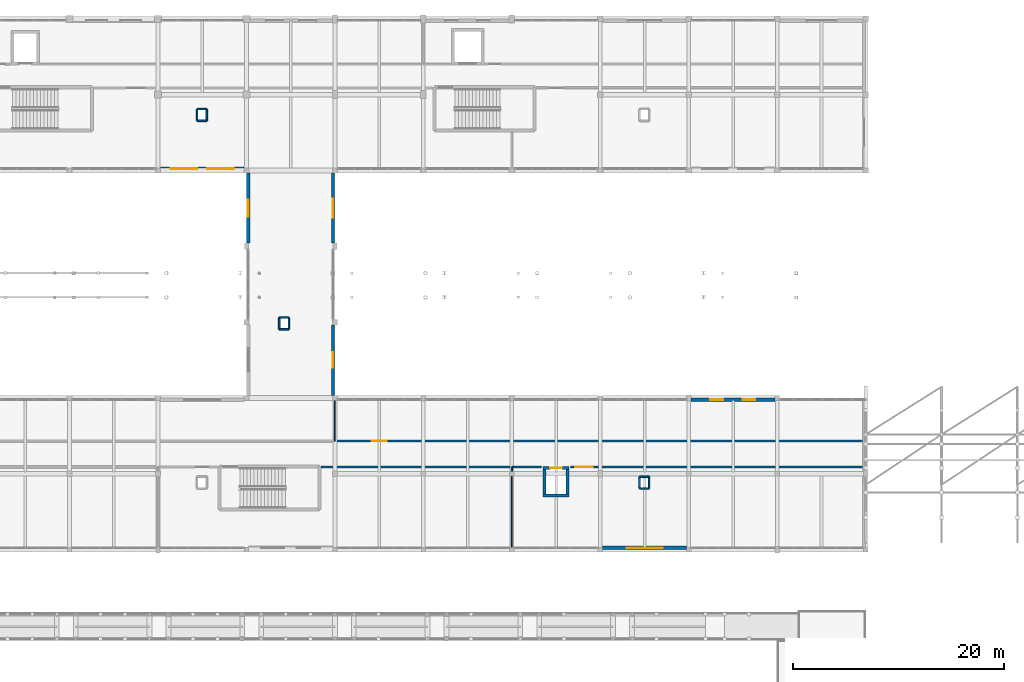
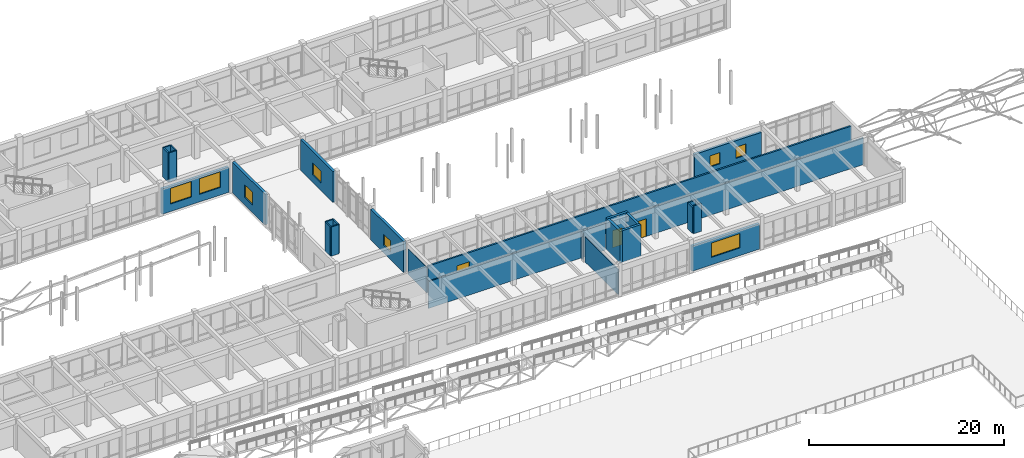
# One storey, part 78 of 89: 29 walls, 8 windows, 3 doors, 11 openings.
"""IFC4 building model written with IfcOpenShell, lengths in metres."""

from ifc_helpers import new_model, si_unit, direction, frame, frame_2d, origin, place, context, subcontext, project, spatial, rectangle, extrude, material, layer, layer_set, type_object, element, fill, save


model = new_model("IFC4")

# Units and contexts
model_context = context("Model", 3, precision=1e-05, world=origin(), true_north=direction((0.0, 1.0)))
body_context = subcontext(model_context, "Body", "Model", "MODEL_VIEW")
ifc_project = project(units=[si_unit("LENGTHUNIT", "METRE"), si_unit("AREAUNIT", "SQUARE_METRE"), si_unit("VOLUMEUNIT", "CUBIC_METRE"), si_unit("PLANEANGLEUNIT", "RADIAN"), si_unit("MASSUNIT", "GRAM", prefix="KILO")], contexts=[model_context])

# Site, building, storey
site_placement = place(None, origin())
site = spatial("IfcSite", under=ifc_project, at=site_placement, CompositionType="ELEMENT")
building_placement = place(site_placement, origin())
building = spatial("IfcBuilding", under=site, at=building_placement, Name="Malvenik Polytechnic", CompositionType="ELEMENT")
storey_placement = place(building_placement, frame((0.0, 0.0, 13.5)))
storey = spatial("IfcBuildingStorey", under=building, at=storey_placement, Name="L03", CompositionType="ELEMENT", Elevation=13.5)

# Wall
ifc_material_1 = material(Name="Concrete C35/45", Category="concrete")
ifc_layer_1 = layer(ifc_material_1, 0.280029296875)
ifc_layer_set_1 = layer_set([ifc_layer_1], Name="Concrete C35/45")
wall_type_1 = type_object("IfcWallType", Name="ARC-CW-S280", PredefinedType="SHEAR", material=ifc_layer_set_1)
wall_1_placement = place(storey_placement, frame((106.239990234375, 84.35009765625, 0.0), z_axis=(0.0, 0.0, 1.0), x_axis=(-1.0, 0.0, 0.0)))
element("IfcWall", 1, at=wall_1_placement, inside=storey, type_object=wall_type_1, Name="Lift Shaft Shear Wall LP-02 L03 -Y", PredefinedType="SHEAR", context=body_context, shape_type="SweptSolid", body=[
    extrude(rectangle(XDim=2.47998046875, YDim=0.280029296875, at=frame_2d((1.239990234375, 0.0))), origin(), (0.0, 0.0, 1.0), 3.93994140625),
])

# Wall, opening, door
wall_2_placement = place(storey_placement, frame((103.760009765625, 86.949951171875, 0.0), z_axis=(0.0, 0.0, 1.0), x_axis=(1.0, 0.0, 0.0)))
wall_2 = element("IfcWall", 2, at=wall_2_placement, inside=storey, type_object=wall_type_1, Name="Lift Shaft Shear Wall LP-02 L03 +Y", PredefinedType="SHEAR", context=body_context, shape_type="SweptSolid", body=[
    extrude(rectangle(XDim=2.47998046875, YDim=0.280029296875, at=frame_2d((1.239990234375, 0.0))), origin(), (0.0, 0.0, 1.0), 3.93994140625),
])
opening_1_placement = place(wall_2_placement, frame((0.68994140625, 0.0, 0.0)))
opening_1 = element("IfcOpeningElement", 3, at=opening_1_placement, cuts=wall_2, Name="Opening LD-01", PredefinedType="OPENING", context=body_context, shape_type="SweptSolid", body=[
    extrude(rectangle(XDim=1.10009765625, YDim=2.14990234375, at=frame_2d((0.550048828125, 1.074951171875))), frame((0.0, 0.14990234375, 0.0), z_axis=(0.0, -1.0, 0.0), x_axis=(1.0, 0.0, 0.0)), (0.0, 0.0, 1.0), 0.300048828125),
])
ifc_material_2 = material(Name="Stainless steel fire-rated sliding lift landing door", Category="steel")
door_type_1 = type_object("IfcDoorType", Name="ARC-LDR-LD-01", OperationType="NOTDEFINED", PredefinedType="DOOR", material=ifc_material_2)
door_1_placement = place(opening_1_placement, origin())
door_1 = element("IfcDoor", 4, at=door_1_placement, inside=storey, type_object=door_type_1, Name="Lift Sliding Landing Door LP-02 L03", OperationType="DOUBLE_DOOR_SLIDING", OverallHeight=2.14990234375, OverallWidth=1.10009765625, PredefinedType="DOOR", context=body_context, shape_type="SweptSolid", body=[
    extrude(rectangle(XDim=1.10009765625, YDim=2.14990234375, at=frame_2d((0.550048828125, 1.074951171875))), frame((0.0, 0.02490234375, 0.0), z_axis=(0.0, -1.0, 0.0), x_axis=(1.0, 0.0, 0.0)), (0.0, 0.0, 1.0), 0.050048828125),
])
fill(opening_1, door_1)

# Walls
for number, where, z_axis, x_axis, name in (
    (5, (103.89990234375, 84.2099609375, 0.0), (0.0, 0.0, 1.0), (0.0, 1.0, 0.0), "Lift Shaft Shear Wall LP-02 L03 -X"),
    (6, (106.10009765625, 87.090087890625, 0.0), (0.0, 0.0, 1.0), (0.0, -1.0, 0.0), "Lift Shaft Shear Wall LP-02 L03 +X"),
):
    element("IfcWall", number, at=place(storey_placement, frame(where, z_axis=z_axis, x_axis=x_axis)), inside=storey, type_object=wall_type_1, Name=name, PredefinedType="SHEAR", context=body_context, shape_type="SweptSolid", body=[
        extrude(rectangle(XDim=2.880126953125, YDim=0.280029296875, at=frame_2d((1.43994140625, 0.0))), origin(), (0.0, 0.0, 1.0), 3.93994140625),
    ])

# Wall, opening, window
ifc_material_3 = material(Name="Brick masonry M15", Category="masonry")
ifc_layer_2 = layer(ifc_material_3, 0.31005859375)
ifc_layer_set_2 = layer_set([ifc_layer_2], Name="Brick masonry M15")
wall_type_2 = type_object("IfcWallType", Name="ARC-EW-310", PredefinedType="SOLIDWALL", material=ifc_layer_set_2)
wall_3_placement = place(storey_placement, frame((75.77001953125, 108.298095703125, 0.0), z_axis=(0.0, 0.0, 1.0), x_axis=(0.0, 1.0, 0.0)))
wall_3 = element("IfcWall", 7, at=wall_3_placement, inside=storey, type_object=wall_type_2, Name="External Facade Wall EW-03 L03 #382", PredefinedType="SOLIDWALL", context=body_context, shape_type="SweptSolid", body=[
    extrude(rectangle(XDim=6.65380859375, YDim=0.31005859375, at=frame_2d((3.326904296875, 0.0))), origin(), (0.0, 0.0, 1.0), 3.860107421875),
])
opening_2_placement = place(wall_3_placement, frame((2.527099609375, 0.0, 0.949951171875)))
opening_2 = element("IfcOpeningElement", 8, at=opening_2_placement, cuts=wall_3, Name="Opening W-20", PredefinedType="OPENING", context=body_context, shape_type="SweptSolid", body=[
    extrude(rectangle(XDim=1.60009765625, YDim=1.60009765625, at=frame_2d((0.800048828125, 0.800048828125))), frame((0.0, 0.1650390625, 0.0), z_axis=(0.0, -1.0, 0.0), x_axis=(1.0, 0.0, 0.0)), (0.0, 0.0, 1.0), 0.330078125),
])
ifc_material_4 = material(Name="Thermally broken aluminium frame with low-E double glazing", Category="aluminium")
window_type_1 = type_object("IfcWindowType", Name="ARC-WIN-W-20", PartitioningType="SINGLE_PANEL", PredefinedType="WINDOW", material=ifc_material_4)
window_1_placement = place(opening_2_placement, origin())
window_1 = element("IfcWindow", 9, at=window_1_placement, inside=storey, type_object=window_type_1, Name="Punched Window W-20 L03 #383", OverallHeight=1.60009765625, OverallWidth=1.60009765625, PartitioningType="SINGLE_PANEL", PredefinedType="WINDOW", context=body_context, shape_type="SweptSolid", body=[
    extrude(rectangle(XDim=1.60009765625, YDim=1.60009765625, at=frame_2d((0.800048828125, 0.800048828125))), frame((0.0, 0.030029296875, 0.0), z_axis=(0.0, -1.0, 0.0), x_axis=(1.0, 0.0, 0.0)), (0.0, 0.0, 1.0), 0.06005859375),
])
fill(opening_2, window_1)

# Wall, openings, windows
wall_4_placement = place(storey_placement, frame((75.35205078125, 115.3701171875, 0.0), z_axis=(0.0, 0.0, 1.0), x_axis=(-1.0, 0.0, 0.0)))
wall_4 = element("IfcWall", 10, at=wall_4_placement, inside=storey, type_object=wall_type_2, Name="External Facade Wall EW-03 L03 #383", PredefinedType="SOLIDWALL", context=body_context, shape_type="SweptSolid", body=[
    extrude(rectangle(XDim=7.904052734375, YDim=0.31005859375, at=frame_2d((3.9521484375, 0.0))), origin(), (0.0, 0.0, 1.0), 3.159912109375),
])
opening_3_placement = place(wall_4_placement, frame((0.968017578125, 0.0, 0.949951171875)))
opening_3 = element("IfcOpeningElement", 11, at=opening_3_placement, cuts=wall_4, Name="Opening W-21", PredefinedType="OPENING", context=body_context, shape_type="SweptSolid", body=[
    extrude(rectangle(XDim=2.5, YDim=1.9599609375, at=frame_2d((1.25, 0.97998046875))), frame((0.0, 0.1650390625, 0.0), z_axis=(0.0, -1.0, 0.0), x_axis=(1.0, 0.0, 0.0)), (0.0, 0.0, 1.0), 0.330078125),
])
opening_4_placement = place(wall_4_placement, frame((4.43603515625, 0.0, 0.949951171875)))
opening_4 = element("IfcOpeningElement", 12, at=opening_4_placement, cuts=wall_4, Name="Opening W-21", PredefinedType="OPENING", context=body_context, shape_type="SweptSolid", body=[
    extrude(rectangle(XDim=2.5, YDim=1.9599609375, at=frame_2d((1.25, 0.97998046875))), frame((0.0, 0.1650390625, 0.0), z_axis=(0.0, -1.0, 0.0), x_axis=(1.0, 0.0, 0.0)), (0.0, 0.0, 1.0), 0.330078125),
])
window_type_2 = type_object("IfcWindowType", Name="ARC-WIN-W-21", PartitioningType="SINGLE_PANEL", PredefinedType="WINDOW", material=ifc_material_4)
window_2_placement = place(opening_3_placement, origin())
window_2 = element("IfcWindow", 13, at=window_2_placement, inside=storey, type_object=window_type_2, Name="Punched Window W-21 L03 #384", OverallHeight=1.9599609375, OverallWidth=2.5, PartitioningType="SINGLE_PANEL", PredefinedType="WINDOW", context=body_context, shape_type="SweptSolid", body=[
    extrude(rectangle(XDim=2.5, YDim=1.9599609375, at=frame_2d((1.25, 0.97998046875))), frame((0.0, 0.030029296875, 0.0), z_axis=(0.0, -1.0, 0.0), x_axis=(1.0, 0.0, 0.0)), (0.0, 0.0, 1.0), 0.06005859375),
])
fill(opening_3, window_2)
window_3_placement = place(opening_4_placement, origin())
window_3 = element("IfcWindow", 14, at=window_3_placement, inside=storey, type_object=window_type_2, Name="Punched Window W-21 L03 #385", OverallHeight=1.9599609375, OverallWidth=2.5, PartitioningType="SINGLE_PANEL", PredefinedType="WINDOW", context=body_context, shape_type="SweptSolid", body=[
    extrude(rectangle(XDim=2.5, YDim=1.9599609375, at=frame_2d((1.25, 0.97998046875))), frame((0.0, 0.030029296875, 0.0), z_axis=(0.0, -1.0, 0.0), x_axis=(1.0, 0.0, 0.0)), (0.0, 0.0, 1.0), 0.06005859375),
])
fill(opening_4, window_3)

# Wall, opening, window
wall_5_placement = place(storey_placement, frame((83.830078125, 114.951904296875, 0.0), z_axis=(0.0, 0.0, 1.0), x_axis=(0.0, -1.0, 0.0)))
wall_5 = element("IfcWall", 15, at=wall_5_placement, inside=storey, type_object=wall_type_2, Name="External Facade Wall EW-03 L03 #399", PredefinedType="SOLIDWALL", context=body_context, shape_type="SweptSolid", body=[
    extrude(rectangle(XDim=6.65380859375, YDim=0.31005859375, at=frame_2d((3.326904296875, 0.0))), origin(), (0.0, 0.0, 1.0), 3.860107421875),
])
opening_5_placement = place(wall_5_placement, frame((2.427001953125, 0.0, 0.949951171875)))
opening_5 = element("IfcOpeningElement", 16, at=opening_5_placement, cuts=wall_5, Name="Opening W-14", PredefinedType="OPENING", context=body_context, shape_type="SweptSolid", body=[
    extrude(rectangle(XDim=1.800048828125, YDim=1.5, at=frame_2d((0.89990234375, 0.75))), frame((0.0, 0.1650390625, 0.0), z_axis=(0.0, -1.0, 0.0), x_axis=(1.0, 0.0, 0.0)), (0.0, 0.0, 1.0), 0.330078125),
])
window_type_3 = type_object("IfcWindowType", Name="ARC-WIN-W-14", PartitioningType="SINGLE_PANEL", PredefinedType="WINDOW", material=ifc_material_4)
window_4_placement = place(opening_5_placement, origin())
window_4 = element("IfcWindow", 17, at=window_4_placement, inside=storey, type_object=window_type_3, Name="Punched Window W-14 L03 #409", OverallHeight=1.5, OverallWidth=1.800048828125, PartitioningType="SINGLE_PANEL", PredefinedType="WINDOW", context=body_context, shape_type="SweptSolid", body=[
    extrude(rectangle(XDim=1.800048828125, YDim=1.5, at=frame_2d((0.89990234375, 0.75))), frame((0.0, 0.030029296875, 0.0), z_axis=(0.0, -1.0, 0.0), x_axis=(1.0, 0.0, 0.0)), (0.0, 0.0, 1.0), 0.06005859375),
])
fill(opening_5, window_4)

wall_6_placement = place(storey_placement, frame((83.830078125, 100.552001953125, 0.0), z_axis=(0.0, 0.0, 1.0), x_axis=(0.0, -1.0, 0.0)))
wall_6 = element("IfcWall", 18, at=wall_6_placement, inside=storey, type_object=wall_type_2, Name="External Facade Wall EW-03 L03 #400", PredefinedType="SOLIDWALL", context=body_context, shape_type="SweptSolid", body=[
    extrude(rectangle(XDim=6.7041015625, YDim=0.31005859375, at=frame_2d((3.35205078125, 0.0))), origin(), (0.0, 0.0, 1.0), 3.860107421875),
])
opening_6_placement = place(wall_6_placement, frame((2.60205078125, 0.0, 0.949951171875)))
opening_6 = element("IfcOpeningElement", 19, at=opening_6_placement, cuts=wall_6, Name="Opening W-15", PredefinedType="OPENING", context=body_context, shape_type="SweptSolid", body=[
    extrude(rectangle(XDim=1.5, YDim=1.39990234375, at=frame_2d((0.75, 0.699951171875))), frame((0.0, 0.1650390625, 0.0), z_axis=(0.0, -1.0, 0.0), x_axis=(1.0, 0.0, 0.0)), (0.0, 0.0, 1.0), 0.330078125),
])
window_type_4 = type_object("IfcWindowType", Name="ARC-WIN-W-15", PartitioningType="SINGLE_PANEL", PredefinedType="WINDOW", material=ifc_material_4)
window_5_placement = place(opening_6_placement, origin())
window_5 = element("IfcWindow", 20, at=window_5_placement, inside=storey, type_object=window_type_4, Name="Punched Window W-15 L03 #410", OverallHeight=1.39990234375, OverallWidth=1.5, PartitioningType="SINGLE_PANEL", PredefinedType="WINDOW", context=body_context, shape_type="SweptSolid", body=[
    extrude(rectangle(XDim=1.5, YDim=1.39990234375, at=frame_2d((0.75, 0.699951171875))), frame((0.0, 0.030029296875, 0.0), z_axis=(0.0, -1.0, 0.0), x_axis=(1.0, 0.0, 0.0)), (0.0, 0.0, 1.0), 0.06005859375),
])
fill(opening_6, window_5)

# Wall, openings, windows
wall_7_placement = place(storey_placement, frame((117.798095703125, 93.429931640625, 0.0), z_axis=(0.0, 0.0, 1.0), x_axis=(1.0, 0.0, 0.0)))
wall_7 = element("IfcWall", 21, at=wall_7_placement, inside=storey, type_object=wall_type_2, Name="External Facade Wall EW-03 L03 #401", PredefinedType="SOLIDWALL", context=body_context, shape_type="SweptSolid", body=[
    extrude(rectangle(XDim=7.97900390625, YDim=0.31005859375, at=frame_2d((3.989501953125, 0.0))), origin(), (0.0, 0.0, 1.0), 3.159912109375),
])
opening_7_placement = place(wall_7_placement, frame((1.859619140625, 0.0, 0.949951171875)))
opening_7 = element("IfcOpeningElement", 22, at=opening_7_placement, cuts=wall_7, Name="Opening W-16", PredefinedType="OPENING", context=body_context, shape_type="SweptSolid", body=[
    extrude(rectangle(XDim=1.199951171875, YDim=1.39990234375, at=frame_2d((0.60009765625, 0.699951171875))), frame((0.0, 0.1650390625, 0.0), z_axis=(0.0, -1.0, 0.0), x_axis=(1.0, 0.0, 0.0)), (0.0, 0.0, 1.0), 0.330078125),
])
opening_8_placement = place(wall_7_placement, frame((4.91943359375, 0.0, 0.949951171875)))
opening_8 = element("IfcOpeningElement", 23, at=opening_8_placement, cuts=wall_7, Name="Opening W-16", PredefinedType="OPENING", context=body_context, shape_type="SweptSolid", body=[
    extrude(rectangle(XDim=1.199951171875, YDim=1.39990234375, at=frame_2d((0.60009765625, 0.699951171875))), frame((0.0, 0.1650390625, 0.0), z_axis=(0.0, -1.0, 0.0), x_axis=(1.0, 0.0, 0.0)), (0.0, 0.0, 1.0), 0.330078125),
])
window_type_5 = type_object("IfcWindowType", Name="ARC-WIN-W-16", PartitioningType="SINGLE_PANEL", PredefinedType="WINDOW", material=ifc_material_4)
window_6_placement = place(opening_7_placement, origin())
window_6 = element("IfcWindow", 24, at=window_6_placement, inside=storey, type_object=window_type_5, Name="Punched Window W-16 L03 #411", OverallHeight=1.39990234375, OverallWidth=1.199951171875, PartitioningType="SINGLE_PANEL", PredefinedType="WINDOW", context=body_context, shape_type="SweptSolid", body=[
    extrude(rectangle(XDim=1.199951171875, YDim=1.39990234375, at=frame_2d((0.60009765625, 0.699951171875))), frame((0.0, 0.030029296875, 0.0), z_axis=(0.0, -1.0, 0.0), x_axis=(1.0, 0.0, 0.0)), (0.0, 0.0, 1.0), 0.06005859375),
])
fill(opening_7, window_6)
window_7_placement = place(opening_8_placement, origin())
window_7 = element("IfcWindow", 25, at=window_7_placement, inside=storey, type_object=window_type_5, Name="Punched Window W-16 L03 #412", OverallHeight=1.39990234375, OverallWidth=1.199951171875, PartitioningType="SINGLE_PANEL", PredefinedType="WINDOW", context=body_context, shape_type="SweptSolid", body=[
    extrude(rectangle(XDim=1.199951171875, YDim=1.39990234375, at=frame_2d((0.60009765625, 0.699951171875))), frame((0.0, 0.030029296875, 0.0), z_axis=(0.0, -1.0, 0.0), x_axis=(1.0, 0.0, 0.0)), (0.0, 0.0, 1.0), 0.06005859375),
])
fill(opening_8, window_7)

# Wall, opening, window
wall_8_placement = place(storey_placement, frame((117.402099609375, 79.3701171875, 0.0), z_axis=(0.0, 0.0, 1.0), x_axis=(-1.0, 0.0, 0.0)))
wall_8 = element("IfcWall", 26, at=wall_8_placement, inside=storey, type_object=wall_type_2, Name="External Facade Wall EW-03 L03 #404", PredefinedType="SOLIDWALL", context=body_context, shape_type="SweptSolid", body=[
    extrude(rectangle(XDim=7.97900390625, YDim=0.31005859375, at=frame_2d((3.989501953125, 0.0))), origin(), (0.0, 0.0, 1.0), 3.159912109375),
])
opening_9_placement = place(wall_8_placement, frame((2.28955078125, 0.0, 0.949951171875)))
opening_9 = element("IfcOpeningElement", 27, at=opening_9_placement, cuts=wall_8, Name="Opening W-18", PredefinedType="OPENING", context=body_context, shape_type="SweptSolid", body=[
    extrude(rectangle(XDim=3.39990234375, YDim=1.800048828125, at=frame_2d((1.699951171875, 0.89990234375))), frame((0.0, 0.1650390625, 0.0), z_axis=(0.0, -1.0, 0.0), x_axis=(1.0, 0.0, 0.0)), (0.0, 0.0, 1.0), 0.330078125),
])
window_type_6 = type_object("IfcWindowType", Name="ARC-WIN-W-18", PartitioningType="SINGLE_PANEL", PredefinedType="WINDOW", material=ifc_material_4)
window_8_placement = place(opening_9_placement, origin())
window_8 = element("IfcWindow", 28, at=window_8_placement, inside=storey, type_object=window_type_6, Name="Punched Window W-18 L03 #413", OverallHeight=1.800048828125, OverallWidth=3.39990234375, PartitioningType="SINGLE_PANEL", PredefinedType="WINDOW", context=body_context, shape_type="SweptSolid", body=[
    extrude(rectangle(XDim=3.39990234375, YDim=1.800048828125, at=frame_2d((1.699951171875, 0.89990234375))), frame((0.0, 0.030029296875, 0.0), z_axis=(0.0, -1.0, 0.0), x_axis=(1.0, 0.0, 0.0)), (0.0, 0.0, 1.0), 0.06005859375),
])
fill(opening_9, window_8)

# Wall, opening, door
ifc_material_5 = material(Name="Calcium silicate fire-rated blockwork 200mm", Category="masonry")
ifc_layer_3 = layer(ifc_material_5, 0.199951171875)
ifc_layer_set_3 = layer_set([ifc_layer_3], Name="Calcium silicate fire-rated blockwork 200mm")
wall_type_3 = type_object("IfcWallType", Name="ARC-FW-200", PredefinedType="SOLIDWALL", material=ifc_layer_set_3)
wall_9_placement = place(storey_placement, frame((84.0, 89.5, 0.0), z_axis=(0.0, 0.0, 1.0), x_axis=(1.0, 0.0, 0.0)))
wall_9 = element("IfcWall", 29, at=wall_9_placement, inside=storey, type_object=wall_type_3, Name="Interior Partition FW-02 L03 #330", PredefinedType="SOLIDWALL", context=body_context, shape_type="SweptSolid", body=[
    extrude(rectangle(XDim=50.179931640625, YDim=0.199951171875, at=frame_2d((25.08984375, 0.0))), origin(), (0.0, 0.0, 1.0), 3.35498046875),
])
opening_10_placement = place(wall_9_placement, frame((3.47509765625, 0.0, 0.0)))
opening_10 = element("IfcOpeningElement", 30, at=opening_10_placement, cuts=wall_9, Name="Opening FD-08", PredefinedType="OPENING", context=body_context, shape_type="SweptSolid", body=[
    extrude(rectangle(XDim=1.449951171875, YDim=2.199951171875, at=frame_2d((0.72509765625, 1.10009765625))), frame((0.0, 0.10986328125, 0.0), z_axis=(0.0, -1.0, 0.0), x_axis=(1.0, 0.0, 0.0)), (0.0, 0.0, 1.0), 0.219970703125),
])
ifc_material_6 = material(Name="Fire-rated seminar corridor door", Category="steel")
door_type_2 = type_object("IfcDoorType", Name="ARC-IDR-FD-08", OperationType="NOTDEFINED", PredefinedType="DOOR", material=ifc_material_6)
door_2_placement = place(opening_10_placement, origin())
door_2 = element("IfcDoor", 31, at=door_2_placement, inside=storey, type_object=door_type_2, Name="Interior Door FD-08 L03 #141", OperationType="SINGLE_SWING_LEFT", OverallHeight=2.199951171875, OverallWidth=1.449951171875, PredefinedType="DOOR", context=body_context, shape_type="SweptSolid", body=[
    extrude(rectangle(XDim=1.449951171875, YDim=2.199951171875, at=frame_2d((0.72509765625, 1.10009765625))), frame((0.0, 0.02490234375, 0.0), z_axis=(0.0, -1.0, 0.0), x_axis=(1.0, 0.0, 0.0)), (0.0, 0.0, 1.0), 0.050048828125),
])
fill(opening_10, door_2)

# Walls
wall_10_placement = place(storey_placement, frame((103.6298828125, 87.050048828125, 0.0), z_axis=(0.0, 0.0, 1.0), x_axis=(-1.0, 0.0, 0.0)))
element("IfcWall", 32, at=wall_10_placement, inside=storey, type_object=wall_type_3, Name="Interior Partition FW-02 L03 #344", PredefinedType="SOLIDWALL", context=body_context, shape_type="SweptSolid", body=[
    extrude(rectangle(XDim=2.829833984375, YDim=0.199951171875, at=frame_2d((1.4150390625, 0.0))), origin(), (0.0, 0.0, 1.0), 3.35498046875),
])
ifc_material_7 = material(Name="Lightweight gypsum partition 110mm", Category="gypsum")
ifc_layer_4 = layer(ifc_material_7, 0.110107421875)
ifc_layer_set_4 = layer_set([ifc_layer_4], Name="Lightweight gypsum partition 110mm")
wall_type_4 = type_object("IfcWallType", Name="ARC-PW-110", PredefinedType="PARTITIONING", material=ifc_layer_set_4)
wall_11_placement = place(storey_placement, frame((84.0, 89.5, 0.0), z_axis=(0.0, 0.0, 1.0), x_axis=(0.0, 1.0, 0.0)))
element("IfcWall", 33, at=wall_11_placement, inside=storey, type_object=wall_type_4, Name="Interior Partition PW-04I L03 #329", PredefinedType="PARTITIONING", context=body_context, shape_type="SweptSolid", body=[
    extrude(rectangle(XDim=3.830078125, YDim=0.110107421875, at=frame_2d((1.9150390625, 0.0))), origin(), (0.0, 0.0, 1.0), 3.155029296875),
])
wall_12_placement = place(storey_placement, frame((100.800048828125, 79.419921875, 0.0), z_axis=(0.0, 0.0, 1.0), x_axis=(0.0, 1.0, 0.0)))
element("IfcWall", 34, at=wall_12_placement, inside=storey, type_object=wall_type_4, Name="Interior Partition PW-04I L03 #341", PredefinedType="PARTITIONING", context=body_context, shape_type="SweptSolid", body=[
    extrude(rectangle(XDim=6.735107421875, YDim=0.110107421875, at=frame_2d((3.36767578125, 0.0))), origin(), (0.0, 0.0, 1.0), 3.155029296875),
])
ifc_material_8 = material(Name="Acoustic metal-stud gypsum partition 140mm", Category="gypsum")
ifc_layer_5 = layer(ifc_material_8, 0.139892578125)
ifc_layer_set_5 = layer_set([ifc_layer_5], Name="Acoustic metal-stud gypsum partition 140mm")
wall_type_5 = type_object("IfcWallType", Name="ARC-PW-140", PredefinedType="PARTITIONING", material=ifc_layer_set_5)
wall_13_placement = place(storey_placement, frame((100.800048828125, 86.64501953125, 0.0), z_axis=(0.0, 0.0, 1.0), x_axis=(0.0, 1.0, 0.0)))
element("IfcWall", 35, at=wall_13_placement, inside=storey, type_object=wall_type_5, Name="Interior Partition PW-02I L03 #342", PredefinedType="PARTITIONING", context=body_context, shape_type="SweptSolid", body=[
    extrude(rectangle(XDim=0.405029296875, YDim=0.139892578125, at=frame_2d((0.20263671875, 0.0))), origin(), (0.0, 0.0, 1.0), 3.22509765625),
])
ifc_material_9 = material(Name="Double-stud acoustic gypsum board partition 160mm", Category="gypsum")
ifc_layer_6 = layer(ifc_material_9, 0.159912109375)
ifc_layer_set_6 = layer_set([ifc_layer_6], Name="Double-stud acoustic gypsum board partition 160mm")
wall_type_6 = type_object("IfcWallType", Name="ARC-PW-160", PredefinedType="PARTITIONING", material=ifc_layer_set_6)
for number, where, z_axis, x_axis, name in (
    (36, (70.919921875, 119.919921875, 0.0), (0.0, 0.0, 1.0), (1.0, 0.0, 0.0), "Riser Shaft Enclosure L03 #39S"),
    (37, (71.830078125, 121.030029296875, 0.0), (0.0, 0.0, 1.0), (-1.0, 0.0, 0.0), "Riser Shaft Enclosure L03 #39N"),
):
    element("IfcWall", number, at=place(storey_placement, frame(where, z_axis=z_axis, x_axis=x_axis)), inside=storey, type_object=wall_type_6, Name=name, PredefinedType="PARTITIONING", context=body_context, shape_type="SweptSolid", body=[
        extrude(rectangle(XDim=0.91015625, YDim=0.159912109375, at=frame_2d((0.455078125, 0.0))), origin(), (0.0, 0.0, 1.0), 3.64990234375),
    ])
for number, where, z_axis, x_axis, name in (
    (38, (70.919921875, 121.030029296875, 0.0), (0.0, 0.0, 1.0), (0.0, -1.0, 0.0), "Riser Shaft Enclosure L03 #39W"),
    (39, (71.830078125, 119.919921875, 0.0), (0.0, 0.0, 1.0), (0.0, 1.0, 0.0), "Riser Shaft Enclosure L03 #39E"),
):
    element("IfcWall", number, at=place(storey_placement, frame(where, z_axis=z_axis, x_axis=x_axis)), inside=storey, type_object=wall_type_6, Name=name, PredefinedType="PARTITIONING", context=body_context, shape_type="SweptSolid", body=[
        extrude(rectangle(XDim=1.110107421875, YDim=0.159912109375, at=frame_2d((0.55517578125, 0.0))), origin(), (0.0, 0.0, 1.0), 3.64990234375),
    ])
wall_14_placement = place(storey_placement, frame((112.919921875, 85.02001953125, 0.0), z_axis=(0.0, 0.0, 1.0), x_axis=(1.0, 0.0, 0.0)))
element("IfcWall", 40, at=wall_14_placement, inside=storey, type_object=wall_type_6, Name="Riser Shaft Enclosure L03 #43S", PredefinedType="PARTITIONING", context=body_context, shape_type="SweptSolid", body=[
    extrude(rectangle(XDim=0.91015625, YDim=0.159912109375, at=frame_2d((0.455078125, 0.0))), origin(), (0.0, 0.0, 1.0), 3.485107421875),
])
wall_15_placement = place(storey_placement, frame((113.830078125, 86.1298828125, 0.0), z_axis=(0.0, 0.0, 1.0), x_axis=(-1.0, 0.0, 0.0)))
element("IfcWall", 41, at=wall_15_placement, inside=storey, type_object=wall_type_6, Name="Riser Shaft Enclosure L03 #43N", PredefinedType="PARTITIONING", context=body_context, shape_type="SweptSolid", body=[
    extrude(rectangle(XDim=0.91015625, YDim=0.159912109375, at=frame_2d((0.455078125, 0.0))), origin(), (0.0, 0.0, 1.0), 3.22509765625),
])
for number, where, z_axis, x_axis, name in (
    (42, (112.919921875, 86.1298828125, 0.0), (0.0, 0.0, 1.0), (0.0, -1.0, 0.0), "Riser Shaft Enclosure L03 #43W"),
    (43, (113.830078125, 85.02001953125, 0.0), (0.0, 0.0, 1.0), (0.0, 1.0, 0.0), "Riser Shaft Enclosure L03 #43E"),
):
    element("IfcWall", number, at=place(storey_placement, frame(where, z_axis=z_axis, x_axis=x_axis)), inside=storey, type_object=wall_type_6, Name=name, PredefinedType="PARTITIONING", context=body_context, shape_type="SweptSolid", body=[
        extrude(rectangle(XDim=1.10986328125, YDim=0.159912109375, at=frame_2d((0.554931640625, 0.0))), origin(), (0.0, 0.0, 1.0), 3.22509765625),
    ])
for number, where, z_axis, x_axis, name in (
    (44, (78.719970703125, 100.1201171875, 0.0), (0.0, 0.0, 1.0), (1.0, 0.0, 0.0), "Riser Shaft Enclosure L03 #45S"),
    (45, (79.6298828125, 101.22998046875, 0.0), (0.0, 0.0, 1.0), (-1.0, 0.0, 0.0), "Riser Shaft Enclosure L03 #45N"),
):
    element("IfcWall", number, at=place(storey_placement, frame(where, z_axis=z_axis, x_axis=x_axis)), inside=storey, type_object=wall_type_6, Name=name, PredefinedType="PARTITIONING", context=body_context, shape_type="SweptSolid", body=[
        extrude(rectangle(XDim=0.909912109375, YDim=0.159912109375, at=frame_2d((0.455078125, 0.0))), origin(), (0.0, 0.0, 1.0), 3.64990234375),
    ])
for number, where, z_axis, x_axis, name in (
    (46, (78.719970703125, 101.22998046875, 0.0), (0.0, 0.0, 1.0), (0.0, -1.0, 0.0), "Riser Shaft Enclosure L03 #45W"),
    (47, (79.6298828125, 100.1201171875, 0.0), (0.0, 0.0, 1.0), (0.0, 1.0, 0.0), "Riser Shaft Enclosure L03 #45E"),
):
    element("IfcWall", number, at=place(storey_placement, frame(where, z_axis=z_axis, x_axis=x_axis)), inside=storey, type_object=wall_type_6, Name=name, PredefinedType="PARTITIONING", context=body_context, shape_type="SweptSolid", body=[
        extrude(rectangle(XDim=1.10986328125, YDim=0.159912109375, at=frame_2d((0.554931640625, 0.0))), origin(), (0.0, 0.0, 1.0), 3.64990234375),
    ])
wall_16_placement = place(storey_placement, frame((100.800048828125, 87.050048828125, 0.0), z_axis=(0.0, 0.0, 1.0), x_axis=(-1.0, 0.0, 0.0)))
element("IfcWall", 48, at=wall_16_placement, inside=storey, type_object=wall_type_6, Name="Interior Partition PW-01I L03 #339", PredefinedType="PARTITIONING", context=body_context, shape_type="SweptSolid", body=[
    extrude(rectangle(XDim=18.110107421875, YDim=0.159912109375, at=frame_2d((9.05517578125, 0.0))), origin(), (0.0, 0.0, 1.0), 3.35498046875),
])

# Wall, opening, door
wall_17_placement = place(storey_placement, frame((134.179931640625, 87.050048828125, 0.0), z_axis=(0.0, 0.0, 1.0), x_axis=(-1.0, 0.0, 0.0)))
wall_17 = element("IfcWall", 49, at=wall_17_placement, inside=storey, type_object=wall_type_6, Name="Interior Partition PW-01I L03 #343", PredefinedType="PARTITIONING", context=body_context, shape_type="SweptSolid", body=[
    extrude(rectangle(XDim=27.809814453125, YDim=0.159912109375, at=frame_2d((13.90478515625, 0.0))), origin(), (0.0, 0.0, 1.0), 3.35498046875),
])
opening_11_placement = place(wall_17_placement, frame((25.7099609375, 0.0, 0.0)))
opening_11 = element("IfcOpeningElement", 50, at=opening_11_placement, cuts=wall_17, Name="Opening FD-03", PredefinedType="OPENING", context=body_context, shape_type="SweptSolid", body=[
    extrude(rectangle(XDim=1.64990234375, YDim=2.199951171875, at=frame_2d((0.824951171875, 1.10009765625))), frame((0.0, 0.08984375, 0.0), z_axis=(0.0, -1.0, 0.0), x_axis=(1.0, 0.0, 0.0)), (0.0, 0.0, 1.0), 0.179931640625),
])
ifc_material_10 = material(Name="Fire-rated double-leaf laboratory door", Category="steel")
door_type_3 = type_object("IfcDoorType", Name="ARC-IDR-FD-03", OperationType="NOTDEFINED", PredefinedType="DOOR", material=ifc_material_10)
door_3_placement = place(opening_11_placement, origin())
door_3 = element("IfcDoor", 51, at=door_3_placement, inside=storey, type_object=door_type_3, Name="Interior Door FD-03 L03 #145", OperationType="DOUBLE_DOOR_SINGLE_SWING", OverallHeight=2.199951171875, OverallWidth=1.64990234375, PredefinedType="DOOR", context=body_context, shape_type="SweptSolid", body=[
    extrude(rectangle(XDim=1.64990234375, YDim=2.199951171875, at=frame_2d((0.824951171875, 1.10009765625))), frame((0.0, 0.02490234375, 0.0), z_axis=(0.0, -1.0, 0.0), x_axis=(1.0, 0.0, 0.0)), (0.0, 0.0, 1.0), 0.050048828125),
])
fill(opening_11, door_3)

save(model, "model.ifc")
